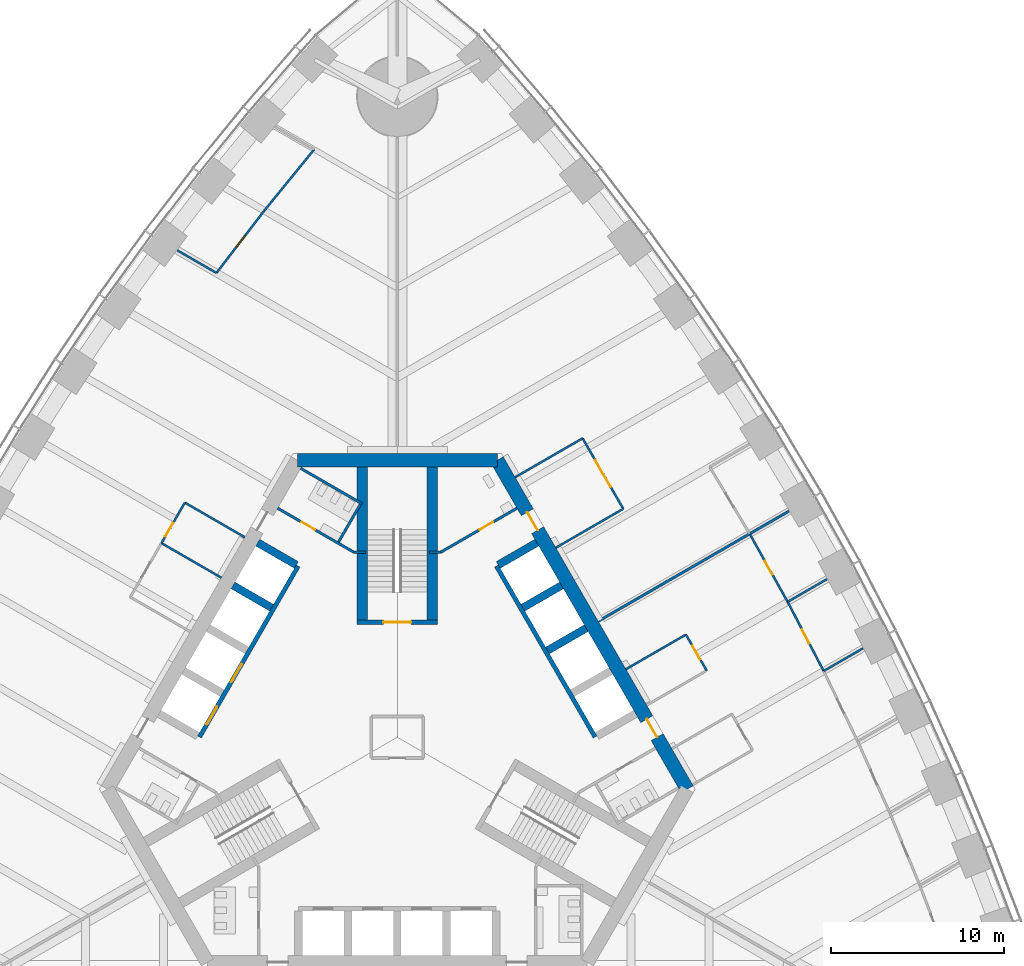
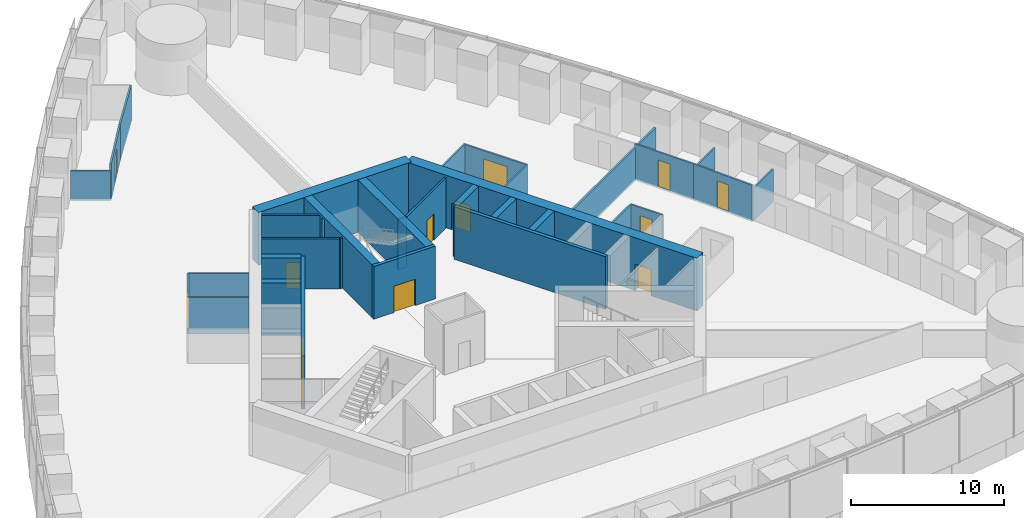
# One storey, part 12 of 19: 34 walls, 13 doors, 13 openings.
"""IFC4 building model written with IfcOpenShell, lengths in metres."""

from ifc_helpers import new_model, si_unit, direction, frame, frame_2d, origin, place, context, subcontext, project, spatial, rectangle, extrude, material, layer, layer_set, type_object, element, fill, save


model = new_model("IFC4")

# Units and contexts
model_context = context("Model", 3, precision=1e-05, world=origin(), true_north=direction((0.0, 1.0)))
body_context = subcontext(model_context, "Body", "Model", "MODEL_VIEW")
ifc_project = project(units=[si_unit("LENGTHUNIT", "METRE"), si_unit("AREAUNIT", "SQUARE_METRE"), si_unit("VOLUMEUNIT", "CUBIC_METRE"), si_unit("PLANEANGLEUNIT", "RADIAN"), si_unit("MASSUNIT", "GRAM", prefix="KILO")], contexts=[model_context])

# Site, building, storey
site_placement = place(None, origin())
site = spatial("IfcSite", under=ifc_project, at=site_placement, CompositionType="ELEMENT")
building_placement = place(site_placement, origin())
building = spatial("IfcBuilding", under=site, at=building_placement, Name="Trefoil Bronze Tower", CompositionType="ELEMENT")
storey_placement = place(building_placement, frame((0.0, 0.0, 83.699951171875)))
storey = spatial("IfcBuildingStorey", under=building, at=storey_placement, Name="L19", CompositionType="ELEMENT", Elevation=83.699951171875)

# Wall, openings, doors
ifc_material_1 = material(Name="Concrete B80", Category="concrete")
ifc_layer_1 = layer(ifc_material_1, 0.800048828125)
ifc_layer_set_1 = layer_set([ifc_layer_1], Name="Core wall 800")
wall_type_1 = type_object("IfcWallType", Name="Core wall 800", PredefinedType="SHEAR", material=ifc_layer_set_1)
wall_1_placement = place(storey_placement, frame((16.7431640625, -3.0, 0.0), z_axis=(0.0, 0.0, 1.0), x_axis=(-0.500002442456, 0.866023993627, 0.0)))
wall_1 = element("IfcWall", 1, at=wall_1_placement, inside=storey, type_object=wall_type_1, Name="Core long wall 2 L19", PredefinedType="SHEAR", context=body_context, shape_type="SweptSolid", body=[
    extrude(rectangle(XDim=21.939453125, YDim=0.800048828125, at=frame_2d((10.9697265625, 0.0))), origin(), (0.0, 0.0, 1.0), 4.199951171875),
])
opening_1_placement = place(wall_1_placement, frame((17.269775390625, 0.0, 0.0)))
opening_1 = element("IfcOpeningElement", 2, at=opening_1_placement, cuts=wall_1, Name="Opening D2", PredefinedType="OPENING", context=body_context, shape_type="SweptSolid", body=[
    extrude(rectangle(XDim=1.199951171875, YDim=2.10009765625, at=frame_2d((0.60009765625, 1.050048828125))), frame((0.0, 0.409912109375, 0.0), z_axis=(0.0, -1.0, 0.0), x_axis=(1.0, 0.0, 0.0)), (0.0, 0.0, 1.0), 0.820068359375),
])
opening_2_placement = place(wall_1_placement, frame((3.4697265625, 0.0, 0.0)))
opening_2 = element("IfcOpeningElement", 3, at=opening_2_placement, cuts=wall_1, Name="Opening D2", PredefinedType="OPENING", context=body_context, shape_type="SweptSolid", body=[
    extrude(rectangle(XDim=1.199951171875, YDim=2.10009765625, at=frame_2d((0.60009765625, 1.050048828125))), frame((0.0, 0.409912109375, 0.0), z_axis=(0.0, -1.0, 0.0), x_axis=(1.0, 0.0, 0.0)), (0.0, 0.0, 1.0), 0.820068359375),
])
ifc_material_2 = material(Name="Steel door", Category="steel")
door_type_1 = type_object("IfcDoorType", Name="Lobby door 1200", OperationType="SINGLE_SWING_RIGHT", PredefinedType="DOOR", material=ifc_material_2)
door_1_placement = place(opening_1_placement, origin())
door_1 = element("IfcDoor", 4, at=door_1_placement, inside=storey, type_object=door_type_1, Name="Lobby door F2+ L19", OperationType="SINGLE_SWING_RIGHT", OverallHeight=2.10009765625, OverallWidth=1.199951171875, PredefinedType="DOOR", context=body_context, shape_type="SweptSolid", body=[
    extrude(rectangle(XDim=1.199951171875, YDim=2.10009765625, at=frame_2d((0.60009765625, 1.050048828125))), frame((0.0, 0.02490234375, 0.0), z_axis=(0.0, -1.0, 0.0), x_axis=(1.0, 0.0, 0.0)), (0.0, 0.0, 1.0), 0.050048828125),
])
fill(opening_1, door_1)
door_2_placement = place(opening_2_placement, origin())
door_2 = element("IfcDoor", 5, at=door_2_placement, inside=storey, type_object=door_type_1, Name="Lobby door F2- L19", OperationType="SINGLE_SWING_LEFT", OverallHeight=2.10009765625, OverallWidth=1.199951171875, PredefinedType="DOOR", context=body_context, shape_type="SweptSolid", body=[
    extrude(rectangle(XDim=1.199951171875, YDim=2.10009765625, at=frame_2d((0.60009765625, 1.050048828125))), frame((0.0, 0.02490234375, 0.0), z_axis=(0.0, -1.0, 0.0), x_axis=(1.0, 0.0, 0.0)), (0.0, 0.0, 1.0), 0.050048828125),
])
fill(opening_2, door_2)

# Wall
wall_2_placement = place(storey_placement, frame((5.7734375, 16.0, 0.0), z_axis=(0.0, 0.0, 1.0), x_axis=(-1.0, 0.0, 0.0)))
element("IfcWall", 6, at=wall_2_placement, inside=storey, type_object=wall_type_1, Name="Core short wall 2 L19", PredefinedType="SHEAR", context=body_context, shape_type="SweptSolid", body=[
    extrude(rectangle(XDim=11.546875, YDim=0.800048828125, at=frame_2d((5.7734375, 0.0))), origin(), (0.0, 0.0, 1.0), 4.199951171875),
])

# Wall, opening, door
ifc_material_3 = material(Name="Glazed partition", Category="glass")
ifc_layer_2 = layer(ifc_material_3, 0.1201171875)
ifc_layer_set_2 = layer_set([ifc_layer_2], Name="Glazed partition 120")
wall_type_2 = type_object("IfcWallType", Name="Glazed partition 120", PredefinedType="PARTITIONING", material=ifc_layer_set_2)
wall_3_placement = place(storey_placement, frame((13.0517578125, 13.193603515625, 0.0), z_axis=(0.0, 0.0, 1.0), x_axis=(-0.499977259774, 0.866038532462, 0.0)))
wall_3 = element("IfcWall", 7, at=wall_3_placement, inside=storey, type_object=wall_type_2, Name="Partition F2 L19", PredefinedType="PARTITIONING", context=body_context, shape_type="SweptSolid", body=[
    extrude(rectangle(XDim=4.699951171875, YDim=0.1201171875, at=frame_2d((2.35009765625, 0.0))), origin(), (0.0, 0.0, 1.0), 2.900146484375),
])
opening_3_placement = place(wall_3_placement, frame((1.449951171875, 0.0, 0.14990234375)))
opening_3 = element("IfcOpeningElement", 8, at=opening_3_placement, cuts=wall_3, Name="Opening D10", PredefinedType="OPENING", context=body_context, shape_type="SweptSolid", body=[
    extrude(rectangle(XDim=1.800048828125, YDim=2.10009765625, at=frame_2d((0.89990234375, 1.050048828125))), frame((0.0, 0.070068359375, 0.0), z_axis=(0.0, -1.0, 0.0), x_axis=(1.0, 0.0, 0.0)), (0.0, 0.0, 1.0), 0.14013671875),
])
ifc_material_4 = material(Name="Timber door", Category="wood")
door_type_2 = type_object("IfcDoorType", Name="Double door 1800", OperationType="DOUBLE_DOOR_SINGLE_SWING", PredefinedType="DOOR", material=ifc_material_4)
door_3_placement = place(opening_3_placement, origin())
door_3 = element("IfcDoor", 9, at=door_3_placement, inside=storey, type_object=door_type_2, Name="Reception door F2 L19", OperationType="DOUBLE_DOOR_SINGLE_SWING", OverallHeight=2.10009765625, OverallWidth=1.800048828125, PredefinedType="DOOR", context=body_context, shape_type="SweptSolid", body=[
    extrude(rectangle(XDim=1.800048828125, YDim=2.10009765625, at=frame_2d((0.89990234375, 1.050048828125))), frame((0.0, 0.02490234375, 0.0), z_axis=(0.0, -1.0, 0.0), x_axis=(1.0, 0.0, 0.0)), (0.0, 0.0, 1.0), 0.050048828125),
])
fill(opening_3, door_3)

wall_4_placement = place(storey_placement, frame((17.868896484375, 3.850341796875, 0.0), z_axis=(0.0, 0.0, 1.0), x_axis=(-0.500001309137, 0.866024647952, 0.0)))
wall_4 = element("IfcWall", 10, at=wall_4_placement, inside=storey, type_object=wall_type_2, Name="Partition F2 L19", PredefinedType="PARTITIONING", context=body_context, shape_type="SweptSolid", body=[
    extrude(rectangle(XDim=2.39990234375, YDim=0.1201171875, at=frame_2d((1.199951171875, 0.0))), origin(), (0.0, 0.0, 1.0), 2.900146484375),
])
opening_4_placement = place(wall_4_placement, frame((0.75, 0.0, 0.14990234375)))
opening_4 = element("IfcOpeningElement", 11, at=opening_4_placement, cuts=wall_4, Name="Opening D8", PredefinedType="OPENING", context=body_context, shape_type="SweptSolid", body=[
    extrude(rectangle(XDim=0.89990234375, YDim=2.10009765625, at=frame_2d((0.449951171875, 1.050048828125))), frame((0.0, 0.070068359375, 0.0), z_axis=(0.0, -1.0, 0.0), x_axis=(1.0, 0.0, 0.0)), (0.0, 0.0, 1.0), 0.14013671875),
])
ifc_material_5 = material(Name="Timber door", Category="wood")
door_type_3 = type_object("IfcDoorType", Name="Office door 900", OperationType="SINGLE_SWING_LEFT", PredefinedType="DOOR", material=ifc_material_5)
door_4_placement = place(opening_4_placement, origin())
door_4 = element("IfcDoor", 12, at=door_4_placement, inside=storey, type_object=door_type_3, Name="Comms room door F2 L19", OperationType="SINGLE_SWING_RIGHT", OverallHeight=2.10009765625, OverallWidth=0.89990234375, PredefinedType="DOOR", context=body_context, shape_type="SweptSolid", body=[
    extrude(rectangle(XDim=0.89990234375, YDim=2.10009765625, at=frame_2d((0.449951171875, 1.050048828125))), frame((0.0, 0.02490234375, 0.0), z_axis=(0.0, -1.0, 0.0), x_axis=(1.0, 0.0, 0.0)), (0.0, 0.0, 1.0), 0.050048828125),
])
fill(opening_4, door_4)

# Walls
wall_5_placement = place(storey_placement, frame((9.15478515625, 10.943603515625, 0.0), z_axis=(0.0, 0.0, 1.0), x_axis=(0.866017533419, 0.500013631625, 0.0)))
element("IfcWall", 13, at=wall_5_placement, inside=storey, type_object=wall_type_2, Name="Partition F2 L19", PredefinedType="PARTITIONING", context=body_context, shape_type="SweptSolid", body=[
    extrude(rectangle(XDim=4.499755859375, YDim=0.1201171875, at=frame_2d((2.25, 0.0))), origin(), (0.0, 0.0, 1.0), 2.900146484375),
])
wall_6_placement = place(storey_placement, frame((6.8046875, 15.013916015625, 0.0), z_axis=(0.0, 0.0, 1.0), x_axis=(0.866031096941, 0.499990139034, 0.0)))
element("IfcWall", 14, at=wall_6_placement, inside=storey, type_object=wall_type_2, Name="Partition F2 L19", PredefinedType="PARTITIONING", context=body_context, shape_type="SweptSolid", body=[
    extrude(rectangle(XDim=4.5, YDim=0.1201171875, at=frame_2d((2.25, 0.0))), origin(), (0.0, 0.0, 1.0), 2.900146484375),
])
wall_7_placement = place(storey_placement, frame((13.204833984375, 3.9287109375, 0.0), z_axis=(0.0, 0.0, 1.0), x_axis=(0.866026010844, 0.49999894854, 0.0)))
element("IfcWall", 15, at=wall_7_placement, inside=storey, type_object=wall_type_2, Name="Partition F2 L19", PredefinedType="PARTITIONING", context=body_context, shape_type="SweptSolid", body=[
    extrude(rectangle(XDim=4.0, YDim=0.1201171875, at=frame_2d((2.0, 0.0))), origin(), (0.0, 0.0, 1.0), 2.900146484375),
])

# Wall, opening, door
wall_8_placement = place(storey_placement, frame((22.5439453125, 7.819580078125, 0.0), z_axis=(0.0, 0.0, 1.0), x_axis=(-0.487373854787, 0.873193406795, 0.0)))
wall_8 = element("IfcWall", 16, at=wall_8_placement, inside=storey, type_object=wall_type_2, Name="Partition F2 L19", PredefinedType="PARTITIONING", context=body_context, shape_type="SweptSolid", body=[
    extrude(rectangle(XDim=4.500244140625, YDim=0.1201171875, at=frame_2d((2.25, 0.0))), origin(), (0.0, 0.0, 1.0), 2.900146484375),
])
opening_5_placement = place(wall_8_placement, frame((1.800048828125, 0.0, 0.14990234375)))
opening_5 = element("IfcOpeningElement", 17, at=opening_5_placement, cuts=wall_8, Name="Opening D8", PredefinedType="OPENING", context=body_context, shape_type="SweptSolid", body=[
    extrude(rectangle(XDim=0.89990234375, YDim=2.10009765625, at=frame_2d((0.449951171875, 1.050048828125))), frame((0.0, 0.070068359375, 0.0), z_axis=(0.0, -1.0, 0.0), x_axis=(1.0, 0.0, 0.0)), (0.0, 0.0, 1.0), 0.14013671875),
])
door_5_placement = place(opening_5_placement, frame((0.89990234375, 0.0, 0.0), z_axis=(0.0, 0.0, 1.0), x_axis=(-1.0, 0.0, 0.0)))
door_5 = element("IfcDoor", 18, at=door_5_placement, inside=storey, type_object=door_type_3, Name="Office door F2 L19", OperationType="SINGLE_SWING_RIGHT", OverallHeight=2.10009765625, OverallWidth=0.89990234375, PredefinedType="DOOR", context=body_context, shape_type="SweptSolid", body=[
    extrude(rectangle(XDim=0.89990234375, YDim=2.10009765625, at=frame_2d((0.449951171875, 1.050048828125))), frame((0.0, 0.02490234375, 0.0), z_axis=(0.0, -1.0, 0.0), x_axis=(1.0, 0.0, 0.0)), (0.0, 0.0, 1.0), 0.050048828125),
])
fill(opening_5, door_5)

wall_9_placement = place(storey_placement, frame((24.6240234375, 3.824462890625, 0.0), z_axis=(0.0, 0.0, 1.0), x_axis=(-0.461810056307, 0.886978845235, 0.0)))
wall_9 = element("IfcWall", 19, at=wall_9_placement, inside=storey, type_object=wall_type_2, Name="Partition F2 L19", PredefinedType="PARTITIONING", context=body_context, shape_type="SweptSolid", body=[
    extrude(rectangle(XDim=4.504150390625, YDim=0.1201171875, at=frame_2d((2.251953125, 0.0))), origin(), (0.0, 0.0, 1.0), 2.900146484375),
])
opening_6_placement = place(wall_9_placement, frame((1.800048828125, 0.0, 0.14990234375)))
opening_6 = element("IfcOpeningElement", 20, at=opening_6_placement, cuts=wall_9, Name="Opening D8", PredefinedType="OPENING", context=body_context, shape_type="SweptSolid", body=[
    extrude(rectangle(XDim=0.89990234375, YDim=2.10009765625, at=frame_2d((0.449951171875, 1.050048828125))), frame((0.0, 0.070068359375, 0.0), z_axis=(0.0, -1.0, 0.0), x_axis=(1.0, 0.0, 0.0)), (0.0, 0.0, 1.0), 0.14013671875),
])
door_6_placement = place(opening_6_placement, frame((0.89990234375, 0.0, 0.0), z_axis=(0.0, 0.0, 1.0), x_axis=(-1.0, 0.0, 0.0)))
door_6 = element("IfcDoor", 21, at=door_6_placement, inside=storey, type_object=door_type_3, Name="Office door F2 L19", OperationType="SINGLE_SWING_RIGHT", OverallHeight=2.10009765625, OverallWidth=0.89990234375, PredefinedType="DOOR", context=body_context, shape_type="SweptSolid", body=[
    extrude(rectangle(XDim=0.89990234375, YDim=2.10009765625, at=frame_2d((0.449951171875, 1.050048828125))), frame((0.0, 0.02490234375, 0.0), z_axis=(0.0, -1.0, 0.0), x_axis=(1.0, 0.0, 0.0)), (0.0, 0.0, 1.0), 0.050048828125),
])
fill(opening_6, door_6)

# Walls
wall_10_placement = place(storey_placement, frame((22.5439453125, 7.819580078125, 0.0), z_axis=(0.0, 0.0, 1.0), x_axis=(0.866031916153, 0.499988720078, 0.0)))
element("IfcWall", 22, at=wall_10_placement, inside=storey, type_object=wall_type_2, Name="Partition F2 L19", PredefinedType="PARTITIONING", context=body_context, shape_type="SweptSolid", body=[
    extrude(rectangle(XDim=2.619140625, YDim=0.1201171875, at=frame_2d((1.3095703125, 0.0))), origin(), (0.0, 0.0, 1.0), 2.60009765625),
])
wall_11_placement = place(storey_placement, frame((24.6240234375, 3.824462890625, 0.0), z_axis=(0.0, 0.0, 1.0), x_axis=(0.866053563643, 0.499951222523, 0.0)))
element("IfcWall", 23, at=wall_11_placement, inside=storey, type_object=wall_type_2, Name="Partition F2 L19", PredefinedType="PARTITIONING", context=body_context, shape_type="SweptSolid", body=[
    extrude(rectangle(XDim=2.617431640625, YDim=0.1201171875, at=frame_2d((1.30859375, 0.0))), origin(), (0.0, 0.0, 1.0), 2.60009765625),
])

# Wall, opening, door
wall_12_placement = place(storey_placement, frame((-12.268798828125, 13.5498046875, 0.0), z_axis=(0.0, 0.0, 1.0), x_axis=(-0.50000943426, -0.866019956843, 0.0)))
wall_12 = element("IfcWall", 24, at=wall_12_placement, inside=storey, type_object=wall_type_2, Name="Partition F3 L19", PredefinedType="PARTITIONING", context=body_context, shape_type="SweptSolid", body=[
    extrude(rectangle(XDim=2.7001953125, YDim=0.1201171875, at=frame_2d((1.35009765625, 0.0))), origin(), (0.0, 0.0, 1.0), 2.900146484375),
])
opening_7_placement = place(wall_12_placement, frame((1.35009765625, 0.0, 0.14990234375)))
opening_7 = element("IfcOpeningElement", 25, at=opening_7_placement, cuts=wall_12, Name="Opening D8", PredefinedType="OPENING", context=body_context, shape_type="SweptSolid", body=[
    extrude(rectangle(XDim=0.89990234375, YDim=2.10009765625, at=frame_2d((0.449951171875, 1.050048828125))), frame((0.0, 0.070068359375, 0.0), z_axis=(0.0, -1.0, 0.0), x_axis=(1.0, 0.0, 0.0)), (0.0, 0.0, 1.0), 0.14013671875),
])
door_7_placement = place(opening_7_placement, origin())
door_7 = element("IfcDoor", 26, at=door_7_placement, inside=storey, type_object=door_type_3, Name="Wellbeing room door F3 L19", OperationType="SINGLE_SWING_RIGHT", OverallHeight=2.10009765625, OverallWidth=0.89990234375, PredefinedType="DOOR", context=body_context, shape_type="SweptSolid", body=[
    extrude(rectangle(XDim=0.89990234375, YDim=2.10009765625, at=frame_2d((0.449951171875, 1.050048828125))), frame((0.0, 0.02490234375, 0.0), z_axis=(0.0, -1.0, 0.0), x_axis=(1.0, 0.0, 0.0)), (0.0, 0.0, 1.0), 0.050048828125),
])
fill(opening_7, door_7)

# Walls
for number, where, z_axis, x_axis, name in (
    (27, (-10.15478515625, 9.21142578125, 0.0), (0.0, 0.0, 1.0), (-0.866026010844, 0.49999894854, 0.0), "Partition F3 L19"),
    (28, (-8.8046875, 11.5498046875, 0.0), (0.0, 0.0, 1.0), (-0.866026010844, 0.49999894854, 0.0), "Partition F3 L19"),
):
    element("IfcWall", number, at=place(storey_placement, frame(where, z_axis=z_axis, x_axis=x_axis)), inside=storey, type_object=wall_type_2, Name=name, PredefinedType="PARTITIONING", context=body_context, shape_type="SweptSolid", body=[
        extrude(rectangle(XDim=4.0, YDim=0.1201171875, at=frame_2d((2.0, 0.0))), origin(), (0.0, 0.0, 1.0), 2.900146484375),
    ])

# Wall, opening, door
wall_13_placement = place(storey_placement, frame((-7.679443359375, 30.41455078125, 0.0), z_axis=(0.0, 0.0, 1.0), x_axis=(-0.608818785139, -0.79330932609, 0.0)))
wall_13 = element("IfcWall", 29, at=wall_13_placement, inside=storey, type_object=wall_type_2, Name="Partition F3 L19", PredefinedType="PARTITIONING", context=body_context, shape_type="SweptSolid", body=[
    extrude(rectangle(XDim=4.5390625, YDim=0.1201171875, at=frame_2d((2.26953125, 0.0))), origin(), (0.0, 0.0, 1.0), 2.900146484375),
])
opening_8_placement = place(wall_13_placement, frame((1.800048828125, 0.0, 0.14990234375)))
opening_8 = element("IfcOpeningElement", 30, at=opening_8_placement, cuts=wall_13, Name="Opening D8", PredefinedType="OPENING", context=body_context, shape_type="SweptSolid", body=[
    extrude(rectangle(XDim=0.89990234375, YDim=2.10009765625, at=frame_2d((0.449951171875, 1.050048828125))), frame((0.0, 0.070068359375, 0.0), z_axis=(0.0, -1.0, 0.0), x_axis=(1.0, 0.0, 0.0)), (0.0, 0.0, 1.0), 0.14013671875),
])
door_8_placement = place(opening_8_placement, frame((0.89990234375, 0.0, 0.0), z_axis=(0.0, 0.0, 1.0), x_axis=(-1.0, 0.0, 0.0)))
door_8 = element("IfcDoor", 31, at=door_8_placement, inside=storey, type_object=door_type_3, Name="Quiet room door F3 L19", OperationType="SINGLE_SWING_RIGHT", OverallHeight=2.10009765625, OverallWidth=0.89990234375, PredefinedType="DOOR", context=body_context, shape_type="SweptSolid", body=[
    extrude(rectangle(XDim=0.89990234375, YDim=2.10009765625, at=frame_2d((0.449951171875, 1.050048828125))), frame((0.0, 0.02490234375, 0.0), z_axis=(0.0, -1.0, 0.0), x_axis=(1.0, 0.0, 0.0)), (0.0, 0.0, 1.0), 0.050048828125),
])
fill(opening_8, door_8)

# Walls
wall_14_placement = place(storey_placement, frame((-4.79931640625, 33.94775390625, 0.0), z_axis=(0.0, 0.0, 1.0), x_axis=(-0.631833879056, -0.775103831288, 0.0)))
element("IfcWall", 32, at=wall_14_placement, inside=storey, type_object=wall_type_2, Name="Partition F3 L19", PredefinedType="PARTITIONING", context=body_context, shape_type="SweptSolid", body=[
    extrude(rectangle(XDim=4.558349609375, YDim=0.1201171875, at=frame_2d((2.279296875, 0.0))), origin(), (0.0, 0.0, 1.0), 2.900146484375),
])
wall_15_placement = place(storey_placement, frame((-10.44287109375, 26.813720703125, 0.0), z_axis=(0.0, 0.0, 1.0), x_axis=(-0.866017274468, 0.500014080125, 0.0)))
element("IfcWall", 33, at=wall_15_placement, inside=storey, type_object=wall_type_2, Name="Partition F3 L19", PredefinedType="PARTITIONING", context=body_context, shape_type="SweptSolid", body=[
    extrude(rectangle(XDim=2.60888671875, YDim=0.1201171875, at=frame_2d((1.304443359375, 0.0))), origin(), (0.0, 0.0, 1.0), 2.400146484375),
])
ifc_material_6 = material(Name="Concrete B80", Category="concrete")
ifc_layer_3 = layer(ifc_material_6, 0.449951171875)
ifc_layer_set_3 = layer_set([ifc_layer_3], Name="Outrigger shaft wall 450")
wall_type_3 = type_object("IfcWallType", Name="Outrigger shaft wall 450", PredefinedType="SHEAR", material=ifc_layer_set_3)
for number, where, z_axis, x_axis, name in (
    (34, (8.681884765625, 5.012451171875, 0.0), (0.0, 0.0, 1.0), (0.866005588531, 0.500034319456, 0.0), "Lift shaft side wall B2 L19"),
    (35, (7.2568359375, 7.480712890625, 0.0), (0.0, 0.0, 1.0), (0.866046643894, 0.499963209246, 0.0), "Lift shaft side wall B3 L19"),
):
    element("IfcWall", number, at=place(storey_placement, frame(where, z_axis=z_axis, x_axis=x_axis)), inside=storey, type_object=wall_type_3, Name=name, PredefinedType="SHEAR", context=body_context, shape_type="SweptSolid", body=[
        extrude(rectangle(XDim=2.574951171875, YDim=0.449951171875, at=frame_2d((1.28759765625, 0.0))), origin(), (0.0, 0.0, 1.0), 4.199951171875),
    ])
for number, where, z_axis, x_axis, name in (
    (36, (5.831787109375, 9.94873046875, 0.0), (0.0, 0.0, 1.0), (0.866029291668, 0.499993265928, 0.0), "Lift shaft side wall B4 L19"),
    (37, (-5.831787109375, 9.94873046875, 0.0), (0.0, 0.0, 1.0), (-0.866029291668, 0.499993265928, 0.0), "Lift shaft side wall C0 L19"),
):
    element("IfcWall", number, at=place(storey_placement, frame(where, z_axis=z_axis, x_axis=x_axis)), inside=storey, type_object=wall_type_3, Name=name, PredefinedType="SHEAR", context=body_context, shape_type="SweptSolid", body=[
        extrude(rectangle(XDim=2.5751953125, YDim=0.449951171875, at=frame_2d((1.28759765625, 0.0))), origin(), (0.0, 0.0, 1.0), 4.199951171875),
    ])
wall_16_placement = place(storey_placement, frame((-7.2568359375, 7.480712890625, 0.0), z_axis=(0.0, 0.0, 1.0), x_axis=(-0.866046643894, 0.499963209246, 0.0)))
element("IfcWall", 38, at=wall_16_placement, inside=storey, type_object=wall_type_3, Name="Lift shaft side wall C1 L19", PredefinedType="SHEAR", context=body_context, shape_type="SweptSolid", body=[
    extrude(rectangle(XDim=2.574951171875, YDim=0.449951171875, at=frame_2d((1.28759765625, 0.0))), origin(), (0.0, 0.0, 1.0), 4.199951171875),
])

# Wall, opening, door
ifc_material_7 = material(Name="Gypsum board on steel studs", Category="steel")
ifc_layer_4 = layer(ifc_material_7, 0.14990234375)
ifc_layer_set_4 = layer_set([ifc_layer_4], Name="Partition 150")
wall_type_4 = type_object("IfcWallType", Name="Partition 150", PredefinedType="PARTITIONING", material=ifc_layer_set_4)
wall_17_placement = place(storey_placement, frame((2.4951171875, 10.67822265625, 0.0), z_axis=(0.0, 0.0, 1.0), x_axis=(0.86602216432, 0.500005610874, 0.0)))
wall_17 = element("IfcWall", 39, at=wall_17_placement, inside=storey, type_object=wall_type_4, Name="Passage wall F2+ L19", PredefinedType="PARTITIONING", context=body_context, shape_type="SweptSolid", body=[
    extrude(rectangle(XDim=5.10009765625, YDim=0.14990234375, at=frame_2d((2.550048828125, 0.0))), origin(), (0.0, 0.0, 1.0), 4.0),
])
opening_9_placement = place(wall_17_placement, frame((2.60009765625, 0.0, 0.0)))
opening_9 = element("IfcOpeningElement", 40, at=opening_9_placement, cuts=wall_17, Name="Opening D3", PredefinedType="OPENING", context=body_context, shape_type="SweptSolid", body=[
    extrude(rectangle(XDim=0.89990234375, YDim=2.10009765625, at=frame_2d((0.449951171875, 1.050048828125))), frame((0.0, 0.0849609375, 0.0), z_axis=(0.0, -1.0, 0.0), x_axis=(1.0, 0.0, 0.0)), (0.0, 0.0, 1.0), 0.169921875),
])
ifc_material_8 = material(Name="Timber door", Category="wood")
door_type_4 = type_object("IfcDoorType", Name="WC door 900", OperationType="SINGLE_SWING_LEFT", PredefinedType="DOOR", material=ifc_material_8)
door_9_placement = place(opening_9_placement, origin())
door_9 = element("IfcDoor", 41, at=door_9_placement, inside=storey, type_object=door_type_4, Name="Accessible WC door L19", OperationType="SINGLE_SWING_RIGHT", OverallHeight=2.10009765625, OverallWidth=0.89990234375, PredefinedType="DOOR", context=body_context, shape_type="SweptSolid", body=[
    extrude(rectangle(XDim=0.89990234375, YDim=2.10009765625, at=frame_2d((0.449951171875, 1.050048828125))), frame((0.0, 0.02490234375, 0.0), z_axis=(0.0, -1.0, 0.0), x_axis=(1.0, 0.0, 0.0)), (0.0, 0.0, 1.0), 0.050048828125),
])
fill(opening_9, door_9)

wall_18_placement = place(storey_placement, frame((-2.4951171875, 10.67822265625, 0.0), z_axis=(0.0, 0.0, 1.0), x_axis=(-0.86602216432, 0.500005610874, 0.0)))
wall_18 = element("IfcWall", 42, at=wall_18_placement, inside=storey, type_object=wall_type_4, Name="Passage wall F3- L19", PredefinedType="PARTITIONING", context=body_context, shape_type="SweptSolid", body=[
    extrude(rectangle(XDim=5.10009765625, YDim=0.14990234375, at=frame_2d((2.550048828125, 0.0))), origin(), (0.0, 0.0, 1.0), 4.0),
])
opening_10_placement = place(wall_18_placement, frame((2.60009765625, 0.0, 0.0)))
opening_10 = element("IfcOpeningElement", 43, at=opening_10_placement, cuts=wall_18, Name="Opening D3", PredefinedType="OPENING", context=body_context, shape_type="SweptSolid", body=[
    extrude(rectangle(XDim=0.89990234375, YDim=2.10009765625, at=frame_2d((0.449951171875, 1.050048828125))), frame((0.0, 0.0849609375, 0.0), z_axis=(0.0, -1.0, 0.0), x_axis=(1.0, 0.0, 0.0)), (0.0, 0.0, 1.0), 0.169921875),
])
door_10_placement = place(opening_10_placement, frame((0.89990234375, 0.0, 0.0), z_axis=(0.0, 0.0, 1.0), x_axis=(-1.0, 0.0, 0.0)))
door_10 = element("IfcDoor", 44, at=door_10_placement, inside=storey, type_object=door_type_4, Name="WC (women) door L19", OperationType="SINGLE_SWING_RIGHT", OverallHeight=2.10009765625, OverallWidth=0.89990234375, PredefinedType="DOOR", context=body_context, shape_type="SweptSolid", body=[
    extrude(rectangle(XDim=0.89990234375, YDim=2.10009765625, at=frame_2d((0.449951171875, 1.050048828125))), frame((0.0, 0.02490234375, 0.0), z_axis=(0.0, -1.0, 0.0), x_axis=(1.0, 0.0, 0.0)), (0.0, 0.0, 1.0), 0.050048828125),
])
fill(opening_10, door_10)

# Walls
for number, where, z_axis, x_axis, name in (
    (45, (2.4951171875, 10.67822265625, 0.0), (0.0, 0.0, 1.0), (-1.0, 0.0, 0.0), "WC wall ST2-1 L19"),
    (46, (-2.4951171875, 10.67822265625, 0.0), (0.0, 0.0, 1.0), (1.0, 0.0, 0.0), "WC wall ST2+1 L19"),
):
    element("IfcWall", number, at=place(storey_placement, frame(where, z_axis=z_axis, x_axis=x_axis)), inside=storey, type_object=wall_type_4, Name=name, PredefinedType="PARTITIONING", context=body_context, shape_type="SweptSolid", body=[
        extrude(rectangle(XDim=0.64501953125, YDim=0.14990234375, at=frame_2d((0.322509765625, 0.0))), origin(), (0.0, 0.0, 1.0), 4.0),
    ])
wall_19_placement = place(storey_placement, frame((-2.03125, 13.48193359375, 0.0), z_axis=(0.0, 0.0, 1.0), x_axis=(-0.866050731258, 0.499956128963, 0.0)))
element("IfcWall", 47, at=wall_19_placement, inside=storey, type_object=wall_type_4, Name="WC partition WC (women) L19", PredefinedType="PARTITIONING", context=body_context, shape_type="SweptSolid", body=[
    extrude(rectangle(XDim=4.099853515625, YDim=0.14990234375, at=frame_2d((2.0498046875, 0.0))), origin(), (0.0, 0.0, 1.0), 4.0),
])
wall_20_placement = place(storey_placement, frame((-3.388671875, 11.28076171875, 0.0), z_axis=(0.0, 0.0, 1.0), x_axis=(0.499989096993, 0.866031698547, 0.0)))
element("IfcWall", 48, at=wall_20_placement, inside=storey, type_object=wall_type_4, Name="WC partition WC (women) L19", PredefinedType="PARTITIONING", context=body_context, shape_type="SweptSolid", body=[
    extrude(rectangle(XDim=2.509765625, YDim=0.14990234375, at=frame_2d((1.2548828125, 0.0))), origin(), (0.0, 0.0, 1.0), 4.0),
])
ifc_material_9 = material(Name="Gypsum board on steel studs", Category="steel")
ifc_layer_5 = layer(ifc_material_9, 0.14990234375)
ifc_layer_set_5 = layer_set([ifc_layer_5], Name="Party wall 150")
wall_type_5 = type_object("IfcWallType", Name="Party wall 150", PredefinedType="PARTITIONING", material=ifc_layer_set_5)
wall_21_placement = place(storey_placement, frame((11.61328125, 6.705078125, 0.0), z_axis=(0.0, 0.0, 1.0), x_axis=(0.866029791586, 0.499992400027, 0.0)))
element("IfcWall", 49, at=wall_21_placement, inside=storey, type_object=wall_type_5, Name="Demising wall F2 L19", PredefinedType="PARTITIONING", context=body_context, shape_type="SweptSolid", body=[
    extrude(rectangle(XDim=12.708740234375, YDim=0.14990234375, at=frame_2d((6.3544921875, 0.0))), origin(), (0.0, 0.0, 1.0), 2.60009765625),
])
ifc_material_10 = material(Name="Concrete B80", Category="concrete")
ifc_layer_6 = layer(ifc_material_10, 0.25)
ifc_layer_set_6 = layer_set([ifc_layer_6], Name="Shaft wall 250")
wall_type_6 = type_object("IfcWallType", Name="Shaft wall 250", PredefinedType="SHEAR", material=ifc_layer_set_6)
wall_22_placement = place(storey_placement, frame((11.423583984375, 0.013671875, 0.0), z_axis=(0.0, 0.0, 1.0), x_axis=(-0.500001763848, 0.866024385424, 0.0)))
element("IfcWall", 50, at=wall_22_placement, inside=storey, type_object=wall_type_6, Name="Lift shaft front wall B L19", PredefinedType="SHEAR", context=body_context, shape_type="SweptSolid", body=[
    extrude(rectangle(XDim=11.39990234375, YDim=0.25, at=frame_2d((5.699951171875, 0.0))), origin(), (0.0, 0.0, 1.0), 4.199951171875),
])

# Wall, openings, doors
wall_23_placement = place(storey_placement, frame((-5.7236328125, 9.88623046875, 0.0), z_axis=(0.0, 0.0, 1.0), x_axis=(-0.500001763848, -0.866024385424, 0.0)))
wall_23 = element("IfcWall", 51, at=wall_23_placement, inside=storey, type_object=wall_type_6, Name="Lift shaft front wall C L19", PredefinedType="SHEAR", context=body_context, shape_type="SweptSolid", body=[
    extrude(rectangle(XDim=11.39990234375, YDim=0.25, at=frame_2d((5.699951171875, 0.0))), origin(), (0.0, 0.0, 1.0), 4.199951171875),
])
opening_11_placement = place(wall_23_placement, frame((6.52490234375, 0.0, 0.0)))
opening_11 = element("IfcOpeningElement", 52, at=opening_11_placement, cuts=wall_23, Name="Opening LD-FL1", PredefinedType="OPENING", context=body_context, shape_type="SweptSolid", body=[
    extrude(rectangle(XDim=1.199951171875, YDim=2.199951171875, at=frame_2d((0.60009765625, 1.10009765625))), frame((0.0, 0.135009765625, 0.0), z_axis=(0.0, -1.0, 0.0), x_axis=(1.0, 0.0, 0.0)), (0.0, 0.0, 1.0), 0.27001953125),
])
opening_12_placement = place(wall_23_placement, frame((9.375, 0.0, 0.0)))
opening_12 = element("IfcOpeningElement", 53, at=opening_12_placement, cuts=wall_23, Name="Opening LD-FL2", PredefinedType="OPENING", context=body_context, shape_type="SweptSolid", body=[
    extrude(rectangle(XDim=1.199951171875, YDim=2.199951171875, at=frame_2d((0.60009765625, 1.10009765625))), frame((0.0, 0.135009765625, 0.0), z_axis=(0.0, -1.0, 0.0), x_axis=(1.0, 0.0, 0.0)), (0.0, 0.0, 1.0), 0.27001953125),
])
ifc_material_11 = material(Name="Steel door", Category="steel")
door_type_5 = type_object("IfcDoorType", Name="Lift landing door 1200", OperationType="DOUBLE_DOOR_SLIDING", PredefinedType="DOOR", material=ifc_material_11)
door_11_placement = place(opening_11_placement, origin())
door_11 = element("IfcDoor", 54, at=door_11_placement, inside=storey, type_object=door_type_5, Name="Lift FL1 landing door L19", OperationType="DOUBLE_DOOR_SLIDING", OverallHeight=2.199951171875, OverallWidth=1.199951171875, PredefinedType="DOOR", context=body_context, shape_type="SweptSolid", body=[
    extrude(rectangle(XDim=1.199951171875, YDim=2.199951171875, at=frame_2d((0.60009765625, 1.10009765625))), frame((0.0, 0.02490234375, 0.0), z_axis=(0.0, -1.0, 0.0), x_axis=(1.0, 0.0, 0.0)), (0.0, 0.0, 1.0), 0.050048828125),
])
fill(opening_11, door_11)
door_12_placement = place(opening_12_placement, origin())
door_12 = element("IfcDoor", 55, at=door_12_placement, inside=storey, type_object=door_type_5, Name="Lift FL2 landing door L19", OperationType="DOUBLE_DOOR_SLIDING", OverallHeight=2.199951171875, OverallWidth=1.199951171875, PredefinedType="DOOR", context=body_context, shape_type="SweptSolid", body=[
    extrude(rectangle(XDim=1.199951171875, YDim=2.199951171875, at=frame_2d((0.60009765625, 1.10009765625))), frame((0.0, 0.02490234375, 0.0), z_axis=(0.0, -1.0, 0.0), x_axis=(1.0, 0.0, 0.0)), (0.0, 0.0, 1.0), 0.050048828125),
])
fill(opening_12, door_12)

# Wall, opening, door
wall_24_placement = place(storey_placement, frame((2.324951171875, 6.64990234375, 0.0), z_axis=(0.0, 0.0, 1.0), x_axis=(-1.0, 0.0, 0.0)))
wall_24 = element("IfcWall", 56, at=wall_24_placement, inside=storey, type_object=wall_type_6, Name="Stair end wall ST2 L19", PredefinedType="SHEAR", context=body_context, shape_type="SweptSolid", body=[
    extrude(rectangle(XDim=4.64990234375, YDim=0.25, at=frame_2d((2.324951171875, 0.0))), origin(), (0.0, 0.0, 1.0), 4.199951171875),
])
opening_13_placement = place(wall_24_placement, frame((1.52490234375, 0.0, 0.0)))
opening_13 = element("IfcOpeningElement", 57, at=opening_13_placement, cuts=wall_24, Name="Opening D1", PredefinedType="OPENING", context=body_context, shape_type="SweptSolid", body=[
    extrude(rectangle(XDim=1.60009765625, YDim=2.10009765625, at=frame_2d((0.800048828125, 1.050048828125))), frame((0.0, 0.135009765625, 0.0), z_axis=(0.0, -1.0, 0.0), x_axis=(1.0, 0.0, 0.0)), (0.0, 0.0, 1.0), 0.27001953125),
])
ifc_material_12 = material(Name="Steel door", Category="steel")
door_type_6 = type_object("IfcDoorType", Name="Stair door 1600", OperationType="DOUBLE_DOOR_SINGLE_SWING", PredefinedType="DOOR", material=ifc_material_12)
door_13_placement = place(opening_13_placement, frame((1.60009765625, 0.0, 0.0), z_axis=(0.0, 0.0, 1.0), x_axis=(-1.0, 0.0, 0.0)))
door_13 = element("IfcDoor", 58, at=door_13_placement, inside=storey, type_object=door_type_6, Name="Stair door ST2 L19", OperationType="DOUBLE_DOOR_SINGLE_SWING", OverallHeight=2.10009765625, OverallWidth=1.60009765625, PredefinedType="DOOR", context=body_context, shape_type="SweptSolid", body=[
    extrude(rectangle(XDim=1.60009765625, YDim=2.10009765625, at=frame_2d((0.800048828125, 1.050048828125))), frame((0.0, 0.02490234375, 0.0), z_axis=(0.0, -1.0, 0.0), x_axis=(1.0, 0.0, 0.0)), (0.0, 0.0, 1.0), 0.050048828125),
])
fill(opening_13, door_13)

# Walls
ifc_material_13 = material(Name="Concrete B80", Category="concrete")
ifc_layer_7 = layer(ifc_material_13, 0.60009765625)
ifc_layer_set_7 = layer_set([ifc_layer_7], Name="Stair wall 600")
wall_type_7 = type_object("IfcWallType", Name="Stair wall 600", PredefinedType="SHEAR", material=ifc_layer_set_7)
for number, where, z_axis, x_axis, name in (
    (59, (2.02490234375, 6.52490234375, 0.0), (0.0, 0.0, 1.0), (0.0, 1.0, 0.0), "Stair wall ST2 L19"),
    (60, (-2.02490234375, 6.52490234375, 0.0), (0.0, 0.0, 1.0), (0.0, 1.0, 0.0), "Stair wall ST2 L19"),
):
    element("IfcWall", number, at=place(storey_placement, frame(where, z_axis=z_axis, x_axis=x_axis)), inside=storey, type_object=wall_type_7, Name=name, PredefinedType="SHEAR", context=body_context, shape_type="SweptSolid", body=[
        extrude(rectangle(XDim=9.0751953125, YDim=0.60009765625, at=frame_2d((4.53759765625, 0.0))), origin(), (0.0, 0.0, 1.0), 4.199951171875),
    ])

save(model, "model.ifc")
